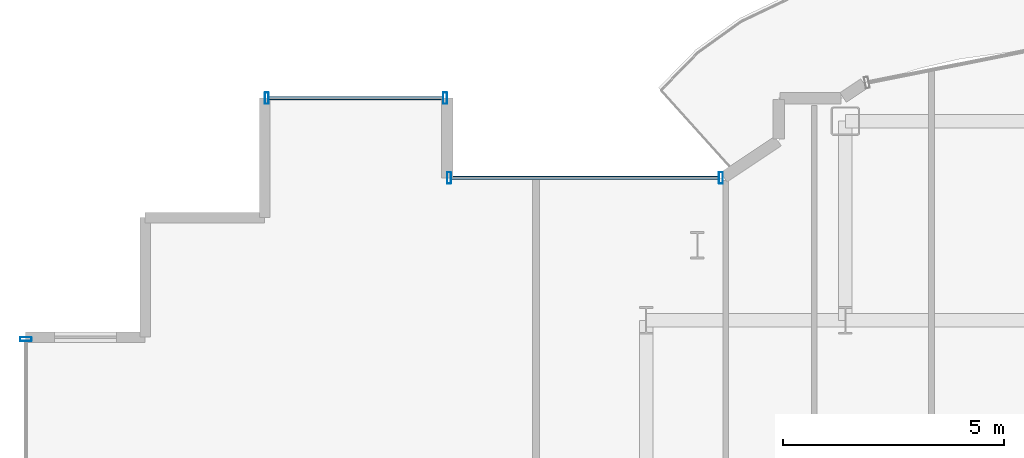
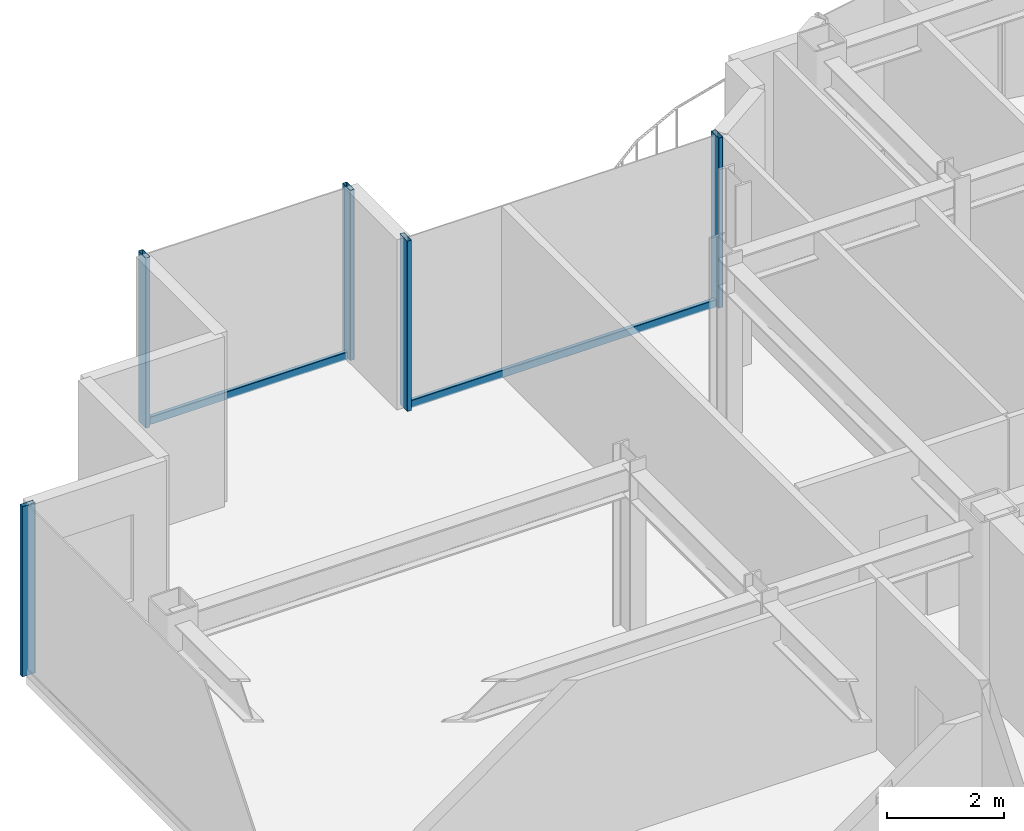
# One storey, part 7 of 17: 7 members, 3 elements without a shape of their own.
"""IFC4 building model written with IfcOpenShell, lengths in metres."""

from ifc_helpers import new_model, si_unit, direction, frame, origin, origin_2d, place, context, subcontext, project, spatial, hollow_rectangle, extrude, source, transform, mapped, material, layer, layer_set, material_profile, profile_set, type_object, element, aggregate, save


model = new_model("IFC4")

# Units and contexts
model_context = context("Model", 3, precision=1e-05, world=origin(), true_north=direction((0.0, 1.0)))
body_context = subcontext(model_context, "Body", "Model", "MODEL_VIEW")
ifc_project = project(units=[si_unit("LENGTHUNIT", "METRE"), si_unit("AREAUNIT", "SQUARE_METRE"), si_unit("VOLUMEUNIT", "CUBIC_METRE"), si_unit("PLANEANGLEUNIT", "RADIAN"), si_unit("MASSUNIT", "GRAM", prefix="KILO")], contexts=[model_context])

# Site, building, storey
site_placement = place(None, origin())
site = spatial("IfcSite", under=ifc_project, at=site_placement, CompositionType="ELEMENT")
building_placement = place(site_placement, origin())
building = spatial("IfcBuilding", under=site, at=building_placement, Name="Nefas-Gora Pilgrimage Tower", CompositionType="ELEMENT")
storey_placement = place(building_placement, frame((0.0, 0.0, 279.800048828125)))
storey = spatial("IfcBuildingStorey", under=building, at=storey_placement, Name="L70", CompositionType="ELEMENT", Elevation=279.800048828125)

# Curtain wall, members
ifc_material_1 = material(Name="Dark ceramic-fritted solar-control aluminium-glass curtain wall", Category="aluminium")
ifc_layer_1 = layer(ifc_material_1, 0.219970703125)
ifc_layer_set_1 = layer_set([ifc_layer_1], Name="Dark ceramic-fritted solar-control aluminium-glass curtain wall")
curtain_wall_type_1 = type_object("IfcCurtainWallType", Name="CW-SYS-5", PredefinedType="NOTDEFINED", material=ifc_layer_set_1)
curtain_wall_1_placement = place(storey_placement, origin())
curtain_wall_1 = element("IfcCurtainWall", 1, at=curtain_wall_1_placement, inside=storey, type_object=curtain_wall_type_1, Name="L70 Unitised Curtain Wall CW5", PredefinedType="NOTDEFINED")
ifc_material_2 = material(Name="Anodised architectural aluminium", Category="aluminium")
ifc_material_profile_1 = material_profile(ifc_material_2, hollow_rectangle(XDim=0.090087890625, YDim=0.260009765625, WallThickness=0.006103515625, InnerFilletRadius=0.006103515625, OuterFilletRadius=0.011962890625, at=origin_2d()), Name="ALU MULLION 90x260")
ifc_profile_set_1 = profile_set([ifc_material_profile_1], Name="Anodised architectural aluminium")
member_type_1 = type_object("IfcMemberType", Name="CWM-MUL-5", PredefinedType="MULLION", material=ifc_profile_set_1)
shared_shape_1 = source(origin(), body_context, "Body", "SweptSolid", [
    extrude(hollow_rectangle(XDim=0.090087890625, YDim=0.260009765625, WallThickness=0.006103515625, InnerFilletRadius=0.006103515625, OuterFilletRadius=0.011962890625, at=origin_2d()), origin(), (0.0, 0.0, 1.0), 3.550048828125),
])
member_1_placement = place(storey_placement, frame((-9.56298828125, 21.219970703125, 0.0), z_axis=(0.0, 0.0, 1.0), x_axis=(-1.0, 0.0, 0.0)))
member_1 = element("IfcMember", 2, at=member_1_placement, type_object=member_type_1, Name="CW5 Mullion 1", PredefinedType="MULLION", context=body_context, shape_type="MappedRepresentation", body=[
    mapped(shared_shape_1, transform((0.0, 0.0, 0.0), x_axis=(1.0, 0.0, 0.0), y_axis=(0.0, 1.0, 0.0), z_axis=(0.0, 0.0, 1.0), scale=1.0)),
])
member_2_placement = place(storey_placement, frame((-15.705078125, 21.219970703125, 0.0), z_axis=(0.0, 0.0, 1.0), x_axis=(-1.0, 0.0, 0.0)))
member_2 = element("IfcMember", 3, at=member_2_placement, type_object=member_type_1, Name="CW5 Mullion 2", PredefinedType="MULLION", context=body_context, shape_type="MappedRepresentation", body=[
    mapped(shared_shape_1, transform((0.0, 0.0, 0.0), x_axis=(1.0, 0.0, 0.0), y_axis=(0.0, 1.0, 0.0), z_axis=(0.0, 0.0, 1.0), scale=1.0)),
])
ifc_material_profile_2 = material_profile(ifc_material_2, hollow_rectangle(XDim=0.080078125, YDim=0.159912109375, WallThickness=0.00439453125, InnerFilletRadius=0.00439453125, OuterFilletRadius=0.009033203125, at=origin_2d()), Name="ALU TRANSOM 80x160")
ifc_profile_set_2 = profile_set([ifc_material_profile_2], Name="Anodised architectural aluminium")
member_type_2 = type_object("IfcMemberType", Name="CWM-TRN-5", PredefinedType="USERDEFINED", material=ifc_profile_set_2)
shared_shape_2 = source(origin(), body_context, "Body", "SweptSolid", [
    extrude(hollow_rectangle(XDim=0.080078125, YDim=0.159912109375, WallThickness=0.00439453125, InnerFilletRadius=0.00439453125, OuterFilletRadius=0.009033203125, at=origin_2d()), origin(), (0.0, 0.0, 1.0), 6.052001953125),
])
member_3_placement = place(storey_placement, frame((-9.60791015625, 21.219970703125, 0.050048828125), z_axis=(-1.0, 0.0, 0.0), x_axis=(0.0, -1.0, 0.0)))
member_3 = element("IfcMember", 4, at=member_3_placement, type_object=member_type_2, Name="CW5 Spandrel Transom", ObjectType="TRANSOM", PredefinedType="USERDEFINED", context=body_context, shape_type="MappedRepresentation", body=[
    mapped(shared_shape_2, transform((0.0, 0.0, 0.0), x_axis=(1.0, 0.0, 0.0), y_axis=(0.0, 1.0, 0.0), z_axis=(0.0, 0.0, 1.0), scale=1.0)),
])
aggregate(curtain_wall_1, [member_1, member_2, member_3])

ifc_layer_2 = layer(ifc_material_1, 0.219970703125)
ifc_layer_set_2 = layer_set([ifc_layer_2], Name="Dark ceramic-fritted solar-control aluminium-glass curtain wall")
curtain_wall_type_2 = type_object("IfcCurtainWallType", Name="CW-SYS-4", PredefinedType="NOTDEFINED", material=ifc_layer_set_2)
curtain_wall_2_placement = place(storey_placement, origin())
curtain_wall_2 = element("IfcCurtainWall", 5, at=curtain_wall_2_placement, inside=storey, type_object=curtain_wall_type_2, Name="L70 Unitised Curtain Wall CW4", PredefinedType="NOTDEFINED")
ifc_material_profile_3 = material_profile(ifc_material_2, hollow_rectangle(XDim=0.080078125, YDim=0.159912109375, WallThickness=0.00439453125, InnerFilletRadius=0.00439453125, OuterFilletRadius=0.009033203125, at=origin_2d()), Name="ALU TRANSOM 80x160")
ifc_profile_set_3 = profile_set([ifc_material_profile_3], Name="Anodised architectural aluminium")
member_type_3 = type_object("IfcMemberType", Name="CWM-TRN-4", PredefinedType="USERDEFINED", material=ifc_profile_set_3)
shared_shape_3 = source(origin(), body_context, "Body", "SweptSolid", [
    extrude(hollow_rectangle(XDim=0.080078125, YDim=0.159912109375, WallThickness=0.00439453125, InnerFilletRadius=0.00439453125, OuterFilletRadius=0.009033203125, at=origin_2d()), origin(), (0.0, 0.0, 1.0), 3.93994140625),
])
member_4_placement = place(storey_placement, frame((-15.840087890625, 23.02001953125, 0.050048828125), z_axis=(-1.0, 0.0, 0.0), x_axis=(0.0, -1.0, 0.0)))
member_4 = element("IfcMember", 6, at=member_4_placement, type_object=member_type_3, Name="CW4 Spandrel Transom", ObjectType="TRANSOM", PredefinedType="USERDEFINED", context=body_context, shape_type="MappedRepresentation", body=[
    mapped(shared_shape_3, transform((0.0, 0.0, 0.0), x_axis=(1.0, 0.0, 0.0), y_axis=(0.0, 1.0, 0.0), z_axis=(0.0, 0.0, 1.0), scale=1.0)),
])
ifc_material_profile_4 = material_profile(ifc_material_2, hollow_rectangle(XDim=0.090087890625, YDim=0.260009765625, WallThickness=0.006103515625, InnerFilletRadius=0.006103515625, OuterFilletRadius=0.011962890625, at=origin_2d()), Name="ALU MULLION 90x260")
ifc_profile_set_4 = profile_set([ifc_material_profile_4], Name="Anodised architectural aluminium")
member_type_4 = type_object("IfcMemberType", Name="CWM-MUL-4", PredefinedType="MULLION", material=ifc_profile_set_4)
shared_shape_4 = source(origin(), body_context, "Body", "SweptSolid", [
    extrude(hollow_rectangle(XDim=0.090087890625, YDim=0.260009765625, WallThickness=0.006103515625, InnerFilletRadius=0.006103515625, OuterFilletRadius=0.011962890625, at=origin_2d()), origin(), (0.0, 0.0, 1.0), 3.550048828125),
])
member_5_placement = place(storey_placement, frame((-15.794921875, 23.02001953125, 0.0), z_axis=(0.0, 0.0, 1.0), x_axis=(-1.0, 0.0, 0.0)))
member_5 = element("IfcMember", 7, at=member_5_placement, type_object=member_type_4, Name="CW4 Mullion 1", PredefinedType="MULLION", context=body_context, shape_type="MappedRepresentation", body=[
    mapped(shared_shape_4, transform((0.0, 0.0, 0.0), x_axis=(1.0, 0.0, 0.0), y_axis=(0.0, 1.0, 0.0), z_axis=(0.0, 0.0, 1.0), scale=1.0)),
])
member_6_placement = place(storey_placement, frame((-19.824951171875, 23.02001953125, 0.0), z_axis=(0.0, 0.0, 1.0), x_axis=(-1.0, 0.0, 0.0)))
member_6 = element("IfcMember", 8, at=member_6_placement, type_object=member_type_4, Name="CW4 Mullion 2", PredefinedType="MULLION", context=body_context, shape_type="MappedRepresentation", body=[
    mapped(shared_shape_4, transform((0.0, 0.0, 0.0), x_axis=(1.0, 0.0, 0.0), y_axis=(0.0, 1.0, 0.0), z_axis=(0.0, 0.0, 1.0), scale=1.0)),
])
aggregate(curtain_wall_2, [member_5, member_6, member_4])

# Curtain wall, member
curtain_wall_3_placement = place(storey_placement, origin())
curtain_wall_3 = element("IfcCurtainWall", 9, at=curtain_wall_3_placement, inside=storey, type_object=curtain_wall_type_2, Name="L70 Unitised Curtain Wall CW4", PredefinedType="NOTDEFINED")
member_7_placement = place(storey_placement, frame((-25.27001953125, 17.574951171875, 0.0), z_axis=(0.0, 0.0, 1.0), x_axis=(0.0, -1.0, 0.0)))
member_7 = element("IfcMember", 10, at=member_7_placement, type_object=member_type_4, Name="CW4 Mullion 1", PredefinedType="MULLION", context=body_context, shape_type="MappedRepresentation", body=[
    mapped(shared_shape_4, transform((0.0, 0.0, 0.0), x_axis=(1.0, 0.0, 0.0), y_axis=(0.0, 1.0, 0.0), z_axis=(0.0, 0.0, 1.0), scale=1.0)),
])
aggregate(curtain_wall_3, [member_7])

save(model, "model.ifc")
